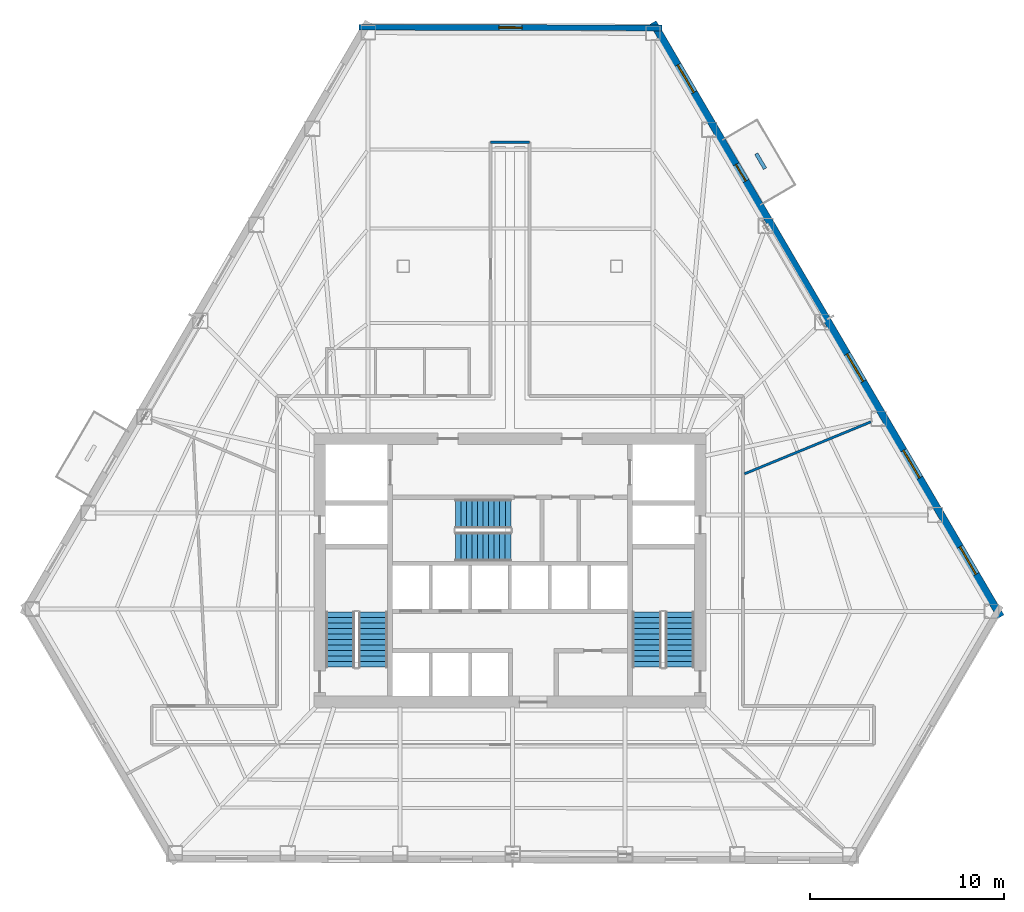
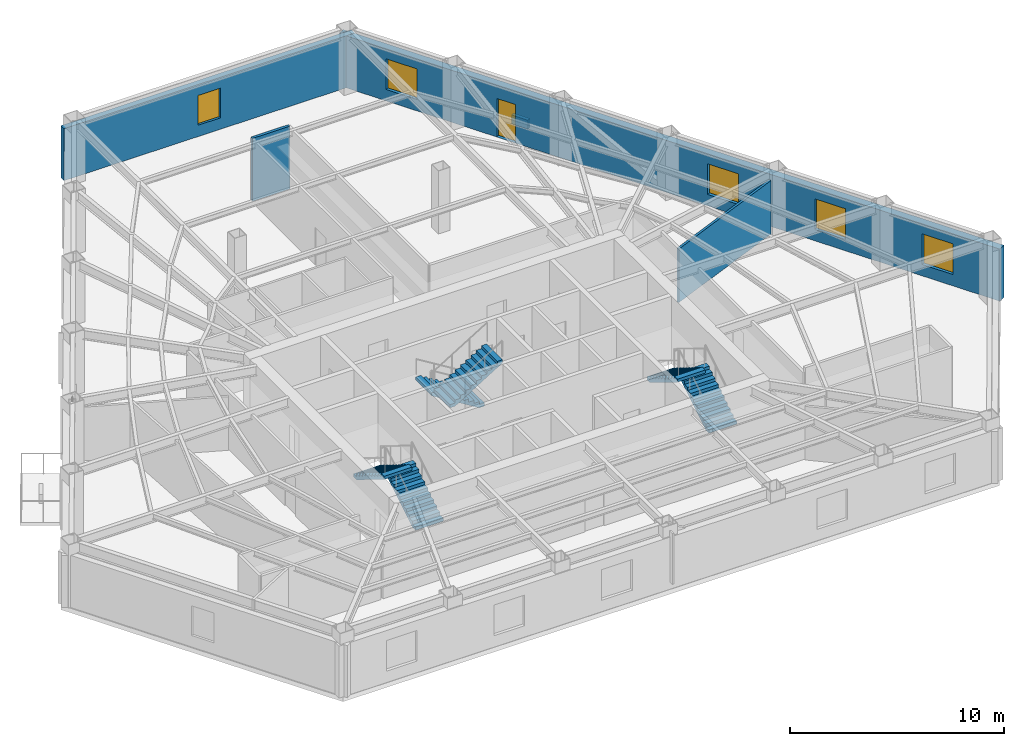
# One storey, part 8 of 11: 6 stair flights, 5 walls, 5 windows, 1 door, 6 openings, 3 elements without a shape of their own.
"""IFC4 building model written with IfcOpenShell, lengths in metres."""

from ifc_helpers import new_model, si_unit, direction, frame, frame_2d, origin, place, context, subcontext, project, spatial, polyline, rectangle, outline, extrude, material, layer, layer_set, type_object, element, fill, aggregate, save


model = new_model("IFC4")

# Units and contexts
model_context = context("Model", 3, precision=1e-05, world=origin(), true_north=direction((0.0, 1.0)))
body_context = subcontext(model_context, "Body", "Model", "MODEL_VIEW")
ifc_project = project(units=[si_unit("LENGTHUNIT", "METRE"), si_unit("AREAUNIT", "SQUARE_METRE"), si_unit("VOLUMEUNIT", "CUBIC_METRE"), si_unit("PLANEANGLEUNIT", "RADIAN"), si_unit("MASSUNIT", "GRAM", prefix="KILO")], contexts=[model_context])

# Site, building, storey
site_placement = place(None, origin())
site = spatial("IfcSite", under=ifc_project, at=site_placement, CompositionType="ELEMENT")
building_placement = place(site_placement, origin())
building = spatial("IfcBuilding", under=site, at=building_placement, Name="Kavelnor Concourse Tower", CompositionType="ELEMENT")
storey_placement = place(building_placement, frame((0.0, 0.0, 56.050048828125)))
storey = spatial("IfcBuildingStorey", under=building, at=storey_placement, Name="L14", CompositionType="ELEMENT", Elevation=56.050048828125)

# Wall, opening, window
ifc_material_1 = material(Name="Buff ironspot clay face brick masonry", Category="masonry")
ifc_layer_1 = layer(ifc_material_1, 0.300048828125, Name="Buff ironspot clay face brick masonry")
ifc_layer_set_1 = layer_set([ifc_layer_1], Name="Buff ironspot clay face brick masonry")
wall_type_1 = type_object("IfcWallType", Name="WL-EXT-BUFF-BRICK-FOLD-300", PredefinedType="STANDARD", material=ifc_layer_set_1)
wall_1_placement = place(storey_placement, frame((30.203369140625, 44.1357421875, 0.0), z_axis=(0.0, 0.0, 1.0), x_axis=(0.999997190333, -0.002370511579, 0.0)))
wall_1 = element("IfcWall", 1, at=wall_1_placement, inside=storey, type_object=wall_type_1, Name="L14 Exterior Brick Facade Wall E0", PredefinedType="STANDARD", context=body_context, shape_type="SweptSolid", body=[
    extrude(rectangle(XDim=15.654541015625, YDim=0.300048828125, at=frame_2d((7.8271484375, 0.0))), origin(), (0.0, 0.0, 1.0), 2.969970703125),
])
opening_1_placement = place(wall_1_placement, frame((7.227294921875, 0.0, 0.64990234375)))
opening_1 = element("IfcOpeningElement", 2, at=opening_1_placement, cuts=wall_1, Name="Opening W-05", PredefinedType="OPENING", context=body_context, shape_type="SweptSolid", body=[
    extrude(rectangle(XDim=1.199951171875, YDim=1.699951171875, at=frame_2d((0.60009765625, 0.85009765625))), frame((0.0, 0.16015625, 0.0), z_axis=(0.0, -1.0, 0.0), x_axis=(1.0, 0.0, 0.0)), (0.0, 0.0, 1.0), 0.320068359375),
])
ifc_material_2 = material(Name="Double low-E argon insulated glazing", Category="glass")
window_type_1 = type_object("IfcWindowType", Name="WIN-FOLD-1200", PartitioningType="SINGLE_PANEL", PredefinedType="WINDOW", material=ifc_material_2)
window_1_placement = place(opening_1_placement, origin())
window_1 = element("IfcWindow", 3, at=window_1_placement, inside=storey, type_object=window_type_1, Name="L14 Chamfer-Fold Facet Window C0", OverallHeight=1.699951171875, OverallWidth=1.199951171875, PartitioningType="SINGLE_PANEL", PredefinedType="WINDOW", context=body_context, shape_type="SweptSolid", body=[
    extrude(rectangle(XDim=1.199951171875, YDim=1.699951171875, at=frame_2d((0.60009765625, 0.85009765625))), frame((0.0, 0.030029296875, 0.0), z_axis=(0.0, -1.0, 0.0), x_axis=(1.0, 0.0, 0.0)), (0.0, 0.0, 1.0), 0.06005859375),
])
fill(opening_1, window_1)

# Wall, openings, door, windows
ifc_material_3 = material(Name="Red-ochre clay face brick masonry", Category="masonry")
ifc_layer_2 = layer(ifc_material_3, 0.3798828125, Name="Red-ochre clay face brick masonry")
ifc_layer_set_2 = layer_set([ifc_layer_2], Name="Red-ochre clay face brick masonry")
wall_type_2 = type_object("IfcWallType", Name="WL-EXT-RED-BRICK-PIER-380", PredefinedType="STANDARD", material=ifc_layer_set_2)
wall_2_placement = place(storey_placement, frame((45.376220703125, 44.375732421875, 0.0), z_axis=(0.0, 0.0, 1.0), x_axis=(0.505310833403, -0.862937403087, 0.0)))
wall_2 = element("IfcWall", 4, at=wall_2_placement, inside=storey, type_object=wall_type_2, Name="L14 Exterior Brick Facade Wall E5", PredefinedType="STANDARD", context=body_context, shape_type="SweptSolid", body=[
    extrude(rectangle(XDim=35.5439453125, YDim=0.3798828125, at=frame_2d((17.77197265625, 0.0))), origin(), (0.0, 0.0, 1.0), 2.969970703125),
])
opening_2_placement = place(wall_2_placement, frame((8.486083984375, 0.0, 0.0)))
opening_2 = element("IfcOpeningElement", 5, at=opening_2_placement, cuts=wall_2, Name="Opening BD-100", PredefinedType="OPENING", context=body_context, shape_type="SweptSolid", body=[
    extrude(rectangle(XDim=1.0, YDim=2.199951171875, at=frame_2d((0.5, 1.10009765625))), frame((0.0, 0.199951171875, 0.0), z_axis=(0.0, -1.0, 0.0), x_axis=(1.0, 0.0, 0.0)), (0.0, 0.0, 1.0), 0.39990234375),
])
opening_3_placement = place(wall_2_placement, frame((31.356201171875, 0.0, 0.64990234375)))
opening_3 = element("IfcOpeningElement", 6, at=opening_3_placement, cuts=wall_2, Name="Opening W-01", PredefinedType="OPENING", context=body_context, shape_type="SweptSolid", body=[
    extrude(rectangle(XDim=1.64990234375, YDim=1.75, at=frame_2d((0.824951171875, 0.875))), frame((0.0, 0.199951171875, 0.0), z_axis=(0.0, -1.0, 0.0), x_axis=(1.0, 0.0, 0.0)), (0.0, 0.0, 1.0), 0.39990234375),
])
opening_4_placement = place(wall_2_placement, frame((25.59130859375, 0.0, 0.64990234375)))
opening_4 = element("IfcOpeningElement", 7, at=opening_4_placement, cuts=wall_2, Name="Opening W-01", PredefinedType="OPENING", context=body_context, shape_type="SweptSolid", body=[
    extrude(rectangle(XDim=1.64990234375, YDim=1.75, at=frame_2d((0.824951171875, 0.875))), frame((0.0, 0.199951171875, 0.0), z_axis=(0.0, -1.0, 0.0), x_axis=(1.0, 0.0, 0.0)), (0.0, 0.0, 1.0), 0.39990234375),
])
opening_5_placement = place(wall_2_placement, frame((19.826416015625, 0.0, 0.64990234375)))
opening_5 = element("IfcOpeningElement", 8, at=opening_5_placement, cuts=wall_2, Name="Opening W-01", PredefinedType="OPENING", context=body_context, shape_type="SweptSolid", body=[
    extrude(rectangle(XDim=1.64990234375, YDim=1.75, at=frame_2d((0.824951171875, 0.875))), frame((0.0, 0.199951171875, 0.0), z_axis=(0.0, -1.0, 0.0), x_axis=(1.0, 0.0, 0.0)), (0.0, 0.0, 1.0), 0.39990234375),
])
opening_6_placement = place(wall_2_placement, frame((2.531982421875, 0.0, 0.64990234375)))
opening_6 = element("IfcOpeningElement", 9, at=opening_6_placement, cuts=wall_2, Name="Opening W-01", PredefinedType="OPENING", context=body_context, shape_type="SweptSolid", body=[
    extrude(rectangle(XDim=1.64990234375, YDim=1.75, at=frame_2d((0.824951171875, 0.875))), frame((0.0, 0.199951171875, 0.0), z_axis=(0.0, -1.0, 0.0), x_axis=(1.0, 0.0, 0.0)), (0.0, 0.0, 1.0), 0.39990234375),
])
ifc_material_4 = material(Name="Anodised aluminium 6063-T6", Category="aluminium")
door_type = type_object("IfcDoorType", Name="DR-BALCONY-EXT-1000", OperationType="NOTDEFINED", PredefinedType="DOOR", material=ifc_material_4)
door_placement = place(opening_2_placement, origin())
door = element("IfcDoor", 10, at=door_placement, inside=storey, type_object=door_type, Name="L14 Tree Balcony 1 Glazed Door", OperationType="SINGLE_SWING_LEFT", OverallHeight=2.199951171875, OverallWidth=1.0, PredefinedType="DOOR", context=body_context, shape_type="SweptSolid", body=[
    extrude(rectangle(XDim=1.0, YDim=2.199951171875, at=frame_2d((0.5, 1.10009765625))), frame((0.0, 0.02490234375, 0.0), z_axis=(0.0, -1.0, 0.0), x_axis=(1.0, 0.0, 0.0)), (0.0, 0.0, 1.0), 0.050048828125),
])
fill(opening_2, door)
window_type_2 = type_object("IfcWindowType", Name="WIN-PIER-Z1-1800", PartitioningType="SINGLE_PANEL", PredefinedType="WINDOW", material=ifc_material_2)
window_2_placement = place(opening_3_placement, origin())
window_2 = element("IfcWindow", 11, at=window_2_placement, inside=storey, type_object=window_type_2, Name="L14 Deep-Set Brick Pier Window F2-B0", OverallHeight=1.75, OverallWidth=1.64990234375, PartitioningType="SINGLE_PANEL", PredefinedType="WINDOW", context=body_context, shape_type="SweptSolid", body=[
    extrude(rectangle(XDim=1.64990234375, YDim=1.75, at=frame_2d((0.824951171875, 0.875))), frame((0.0, 0.030029296875, 0.0), z_axis=(0.0, -1.0, 0.0), x_axis=(1.0, 0.0, 0.0)), (0.0, 0.0, 1.0), 0.06005859375),
])
fill(opening_3, window_2)
window_3_placement = place(opening_4_placement, origin())
window_3 = element("IfcWindow", 12, at=window_3_placement, inside=storey, type_object=window_type_2, Name="L14 Deep-Set Brick Pier Window F2-B1", OverallHeight=1.75, OverallWidth=1.64990234375, PartitioningType="SINGLE_PANEL", PredefinedType="WINDOW", context=body_context, shape_type="SweptSolid", body=[
    extrude(rectangle(XDim=1.64990234375, YDim=1.75, at=frame_2d((0.824951171875, 0.875))), frame((0.0, 0.030029296875, 0.0), z_axis=(0.0, -1.0, 0.0), x_axis=(1.0, 0.0, 0.0)), (0.0, 0.0, 1.0), 0.06005859375),
])
fill(opening_4, window_3)
window_4_placement = place(opening_5_placement, origin())
window_4 = element("IfcWindow", 13, at=window_4_placement, inside=storey, type_object=window_type_2, Name="L14 Deep-Set Brick Pier Window F2-B2", OverallHeight=1.75, OverallWidth=1.64990234375, PartitioningType="SINGLE_PANEL", PredefinedType="WINDOW", context=body_context, shape_type="SweptSolid", body=[
    extrude(rectangle(XDim=1.64990234375, YDim=1.75, at=frame_2d((0.824951171875, 0.875))), frame((0.0, 0.030029296875, 0.0), z_axis=(0.0, -1.0, 0.0), x_axis=(1.0, 0.0, 0.0)), (0.0, 0.0, 1.0), 0.06005859375),
])
fill(opening_5, window_4)
window_5_placement = place(opening_6_placement, origin())
window_5 = element("IfcWindow", 14, at=window_5_placement, inside=storey, type_object=window_type_2, Name="L14 Deep-Set Brick Pier Window F2-B5", OverallHeight=1.75, OverallWidth=1.64990234375, PartitioningType="SINGLE_PANEL", PredefinedType="WINDOW", context=body_context, shape_type="SweptSolid", body=[
    extrude(rectangle(XDim=1.64990234375, YDim=1.75, at=frame_2d((0.824951171875, 0.875))), frame((0.0, 0.030029296875, 0.0), z_axis=(0.0, -1.0, 0.0), x_axis=(1.0, 0.0, 0.0)), (0.0, 0.0, 1.0), 0.06005859375),
])
fill(opening_6, window_5)

# Walls
ifc_material_5 = material(Name="Gypsum plasterboard on light-gauge steel studs", Category="steel")
ifc_layer_3 = layer(ifc_material_5, 0.14501953125, Name="Gypsum plasterboard on light-gauge steel studs")
ifc_layer_set_3 = layer_set([ifc_layer_3], Name="Gypsum plasterboard on light-gauge steel studs")
wall_type_3 = type_object("IfcWallType", Name="WL-INT-CORR-145", PredefinedType="PARTITIONING", material=ifc_layer_set_3)
wall_3_placement = place(storey_placement, frame((37.0, 38.199951171875, 0.0), z_axis=(0.0, 0.0, 1.0), x_axis=(1.0, 0.0, 0.0)))
element("IfcWall", 15, at=wall_3_placement, inside=storey, type_object=wall_type_3, Name="L14 Corridor Wall WL-L14-CR-05", PredefinedType="PARTITIONING", context=body_context, shape_type="SweptSolid", body=[
    extrude(rectangle(XDim=2.0, YDim=0.14501953125, at=frame_2d((1.0, 0.0))), origin(), (0.0, 0.0, 1.0), 3.58984375),
])
ifc_layer_4 = layer(ifc_material_5, 0.125, Name="Gypsum plasterboard on light-gauge steel studs")
ifc_layer_set_4 = layer_set([ifc_layer_4], Name="Gypsum plasterboard on light-gauge steel studs")
wall_type_4 = type_object("IfcWallType", Name="WL-INT-SUITE-125", PredefinedType="PARTITIONING", material=ifc_layer_set_4)
wall_4_placement = place(storey_placement, frame((50.1005859375, 21.078125, 0.0), z_axis=(0.0, 0.0, 1.0), x_axis=(0.924796266477, 0.380462699237, 0.0)))
element("IfcWall", 16, at=wall_4_placement, inside=storey, type_object=wall_type_4, Name="L14 Radial Suite Partition 01", PredefinedType="PARTITIONING", context=body_context, shape_type="SweptSolid", body=[
    extrude(rectangle(XDim=7.057373046875, YDim=0.125, at=frame_2d((3.52880859375, 0.0))), origin(), (0.0, 0.0, 1.0), 3.056884765625),
])
ifc_material_6 = material(Name="Architectural precast planter concrete C40/50", Category="concrete")
ifc_layer_5 = layer(ifc_material_6, 0.18994140625, Name="Architectural precast planter concrete C40/50")
ifc_layer_set_5 = layer_set([ifc_layer_5], Name="Architectural precast planter concrete C40/50")
wall_type_5 = type_object("IfcWallType", Name="WL-PLANTER-KERB-190", PredefinedType="USERDEFINED", material=ifc_layer_set_5)
wall_5_placement = place(storey_placement, frame((51.166748046875, 36.831787109375, 0.0), z_axis=(0.0, 0.0, 1.0), x_axis=(-0.505371371918, 0.862901950656, 0.0)))
element("IfcWall", 17, at=wall_5_placement, inside=storey, type_object=wall_type_5, Name="L14 Tree Balcony 1 Tree Planter Kerb", ObjectType="PLANTER", PredefinedType="USERDEFINED", context=body_context, shape_type="SweptSolid", body=[
    extrude(rectangle(XDim=0.89990234375, YDim=0.18994140625, at=frame_2d((0.449951171875, 0.0))), origin(), (0.0, 0.0, 1.0), 0.5),
])

# Stair, stair flights
ifc_material_7 = material(Name="Concrete C40/50", Category="concrete")
stair_type = type_object("IfcStairType", Name="STR-CORE-1500", PredefinedType="HALF_TURN_STAIR", material=ifc_material_7)
stair_1_placement = place(storey_placement, origin())
stair_1 = element("IfcStair", 18, at=stair_1_placement, inside=storey, type_object=stair_type, Name="L14 ST1", PredefinedType="HALF_TURN_STAIR")
stair_flight_type = type_object("IfcStairFlightType", Name="STR-FLIGHT-1500", PredefinedType="STRAIGHT", material=ifc_material_7)
stair_flight_1_placement = place(storey_placement, frame((30.929931640625, 11.10009765625, 0.0), z_axis=(0.0, 0.0, 1.0), x_axis=(0.0, 1.0, 0.0)))
stair_flight_1 = element("IfcStairFlight", 19, at=stair_flight_1_placement, type_object=stair_flight_type, Name="ST1 flight 1", NumberOfRisers=11, NumberOfTreads=10, PredefinedType="STRAIGHT", RiserHeight=0.175, TreadLength=0.285, context=body_context, shape_type="SweptSolid", body=[
    extrude(outline(polyline([(0.0, 0.0), (0.0, 0.175048828125), (0.284912109375, 0.175048828125), (0.284912109375, 0.35009765625), (0.570068359375, 0.35009765625), (0.570068359375, 0.52490234375), (0.85498046875, 0.52490234375), (0.85498046875, 0.699951171875), (1.139892578125, 0.699951171875), (1.139892578125, 0.875), (1.425048828125, 0.875), (1.425048828125, 1.050048828125), (1.7099609375, 1.050048828125), (1.7099609375, 1.22509765625), (1.9951171875, 1.22509765625), (1.9951171875, 1.39990234375), (2.280029296875, 1.39990234375), (2.280029296875, 1.574951171875), (2.56494140625, 1.574951171875), (2.56494140625, 1.75), (2.85009765625, 1.75), (2.85009765625, 1.925048828125), (2.85009765625, 1.573974609375), (0.286376953125, 0.0), (0.0, 0.0)])), frame((0.0, 0.75, 0.0), z_axis=(0.0, -1.0, 0.0), x_axis=(1.0, 0.0, 0.0)), (0.0, 0.0, 1.0), 1.5),
])
stair_flight_2_placement = place(storey_placement, frame((29.22998046875, 13.949951171875, 1.925048828125), z_axis=(0.0, 0.0, 1.0), x_axis=(0.0, -1.0, 0.0)))
stair_flight_2 = element("IfcStairFlight", 20, at=stair_flight_2_placement, type_object=stair_flight_type, Name="ST1 flight 2", NumberOfRisers=11, NumberOfTreads=10, PredefinedType="STRAIGHT", RiserHeight=0.175, TreadLength=0.285, context=body_context, shape_type="SweptSolid", body=[
    extrude(outline(polyline([(0.0, 0.0), (0.0, 0.175048828125), (0.284912109375, 0.175048828125), (0.284912109375, 0.35009765625), (0.570068359375, 0.35009765625), (0.570068359375, 0.52490234375), (0.85498046875, 0.52490234375), (0.85498046875, 0.699951171875), (1.139892578125, 0.699951171875), (1.139892578125, 0.875), (1.425048828125, 0.875), (1.425048828125, 1.050048828125), (1.7099609375, 1.050048828125), (1.7099609375, 1.22509765625), (1.9951171875, 1.22509765625), (1.9951171875, 1.39990234375), (2.280029296875, 1.39990234375), (2.280029296875, 1.574951171875), (2.56494140625, 1.574951171875), (2.56494140625, 1.75), (2.85009765625, 1.75), (2.85009765625, 1.925048828125), (2.85009765625, 1.573974609375), (0.286376953125, 0.0), (0.0, 0.0)])), frame((0.0, 0.75, 0.0), z_axis=(0.0, -1.0, 0.0), x_axis=(1.0, 0.0, 0.0)), (0.0, 0.0, 1.0), 1.5),
])
aggregate(stair_1, [stair_flight_1, stair_flight_2])

stair_2_placement = place(storey_placement, origin())
stair_2 = element("IfcStair", 21, at=stair_2_placement, inside=storey, type_object=stair_type, Name="L14 ST2", PredefinedType="HALF_TURN_STAIR")
stair_flight_3_placement = place(storey_placement, frame((46.77001953125, 11.10009765625, 0.0), z_axis=(0.0, 0.0, 1.0), x_axis=(0.0, 1.0, 0.0)))
stair_flight_3 = element("IfcStairFlight", 22, at=stair_flight_3_placement, type_object=stair_flight_type, Name="ST2 flight 1", NumberOfRisers=11, NumberOfTreads=10, PredefinedType="STRAIGHT", RiserHeight=0.175, TreadLength=0.285, context=body_context, shape_type="SweptSolid", body=[
    extrude(outline(polyline([(0.0, 0.0), (0.0, 0.175048828125), (0.284912109375, 0.175048828125), (0.284912109375, 0.35009765625), (0.570068359375, 0.35009765625), (0.570068359375, 0.52490234375), (0.85498046875, 0.52490234375), (0.85498046875, 0.699951171875), (1.139892578125, 0.699951171875), (1.139892578125, 0.875), (1.425048828125, 0.875), (1.425048828125, 1.050048828125), (1.7099609375, 1.050048828125), (1.7099609375, 1.22509765625), (1.9951171875, 1.22509765625), (1.9951171875, 1.39990234375), (2.280029296875, 1.39990234375), (2.280029296875, 1.574951171875), (2.56494140625, 1.574951171875), (2.56494140625, 1.75), (2.85009765625, 1.75), (2.85009765625, 1.925048828125), (2.85009765625, 1.573974609375), (0.286376953125, 0.0), (0.0, 0.0)])), frame((0.0, 0.75, 0.0), z_axis=(0.0, -1.0, 0.0), x_axis=(1.0, 0.0, 0.0)), (0.0, 0.0, 1.0), 1.5),
])
stair_flight_4_placement = place(storey_placement, frame((45.070068359375, 13.949951171875, 1.925048828125), z_axis=(0.0, 0.0, 1.0), x_axis=(0.0, -1.0, 0.0)))
stair_flight_4 = element("IfcStairFlight", 23, at=stair_flight_4_placement, type_object=stair_flight_type, Name="ST2 flight 2", NumberOfRisers=11, NumberOfTreads=10, PredefinedType="STRAIGHT", RiserHeight=0.175, TreadLength=0.285, context=body_context, shape_type="SweptSolid", body=[
    extrude(outline(polyline([(0.0, 0.0), (0.0, 0.175048828125), (0.284912109375, 0.175048828125), (0.284912109375, 0.35009765625), (0.570068359375, 0.35009765625), (0.570068359375, 0.52490234375), (0.85498046875, 0.52490234375), (0.85498046875, 0.699951171875), (1.139892578125, 0.699951171875), (1.139892578125, 0.875), (1.425048828125, 0.875), (1.425048828125, 1.050048828125), (1.7099609375, 1.050048828125), (1.7099609375, 1.22509765625), (1.9951171875, 1.22509765625), (1.9951171875, 1.39990234375), (2.280029296875, 1.39990234375), (2.280029296875, 1.574951171875), (2.56494140625, 1.574951171875), (2.56494140625, 1.75), (2.85009765625, 1.75), (2.85009765625, 1.925048828125), (2.85009765625, 1.573974609375), (0.286376953125, 0.0), (0.0, 0.0)])), frame((0.0, 0.75, 0.0), z_axis=(0.0, -1.0, 0.0), x_axis=(1.0, 0.0, 0.0)), (0.0, 0.0, 1.0), 1.5),
])
aggregate(stair_2, [stair_flight_3, stair_flight_4])

stair_3_placement = place(storey_placement, origin())
stair_3 = element("IfcStair", 24, at=stair_3_placement, inside=storey, type_object=stair_type, Name="L14 ST3", PredefinedType="HALF_TURN_STAIR")
stair_flight_5_placement = place(storey_placement, frame((38.0400390625, 19.010009765625, 0.0), z_axis=(0.0, 0.0, 1.0), x_axis=(-1.0, 0.0, 0.0)))
stair_flight_5 = element("IfcStairFlight", 25, at=stair_flight_5_placement, type_object=stair_flight_type, Name="ST3 flight 1", NumberOfRisers=11, NumberOfTreads=10, PredefinedType="STRAIGHT", RiserHeight=0.175, TreadLength=0.285, context=body_context, shape_type="SweptSolid", body=[
    extrude(outline(polyline([(0.0, 0.0), (0.0, 0.175048828125), (0.284912109375, 0.175048828125), (0.284912109375, 0.35009765625), (0.570068359375, 0.35009765625), (0.570068359375, 0.52490234375), (0.85498046875, 0.52490234375), (0.85498046875, 0.699951171875), (1.139892578125, 0.699951171875), (1.139892578125, 0.875), (1.425048828125, 0.875), (1.425048828125, 1.050048828125), (1.7099609375, 1.050048828125), (1.7099609375, 1.22509765625), (1.9951171875, 1.22509765625), (1.9951171875, 1.39990234375), (2.280029296875, 1.39990234375), (2.280029296875, 1.574951171875), (2.56494140625, 1.574951171875), (2.56494140625, 1.75), (2.85009765625, 1.75), (2.85009765625, 1.925048828125), (2.85009765625, 1.573974609375), (0.286376953125, 0.0), (0.0, 0.0)])), frame((0.0, 0.75, 0.0), z_axis=(0.0, -1.0, 0.0), x_axis=(1.0, 0.0, 0.0)), (0.0, 0.0, 1.0), 1.5),
])
stair_flight_6_placement = place(storey_placement, frame((35.18994140625, 17.31005859375, 1.925048828125), z_axis=(0.0, 0.0, 1.0), x_axis=(1.0, 0.0, 0.0)))
stair_flight_6 = element("IfcStairFlight", 26, at=stair_flight_6_placement, type_object=stair_flight_type, Name="ST3 flight 2", NumberOfRisers=11, NumberOfTreads=10, PredefinedType="STRAIGHT", RiserHeight=0.175, TreadLength=0.285, context=body_context, shape_type="SweptSolid", body=[
    extrude(outline(polyline([(0.0, 0.0), (0.0, 0.175048828125), (0.284912109375, 0.175048828125), (0.284912109375, 0.35009765625), (0.570068359375, 0.35009765625), (0.570068359375, 0.52490234375), (0.85498046875, 0.52490234375), (0.85498046875, 0.699951171875), (1.139892578125, 0.699951171875), (1.139892578125, 0.875), (1.425048828125, 0.875), (1.425048828125, 1.050048828125), (1.7099609375, 1.050048828125), (1.7099609375, 1.22509765625), (1.9951171875, 1.22509765625), (1.9951171875, 1.39990234375), (2.280029296875, 1.39990234375), (2.280029296875, 1.574951171875), (2.56494140625, 1.574951171875), (2.56494140625, 1.75), (2.85009765625, 1.75), (2.85009765625, 1.925048828125), (2.85009765625, 1.573974609375), (0.286376953125, 0.0), (0.0, 0.0)])), frame((0.0, 0.75, 0.0), z_axis=(0.0, -1.0, 0.0), x_axis=(1.0, 0.0, 0.0)), (0.0, 0.0, 1.0), 1.5),
])
aggregate(stair_3, [stair_flight_5, stair_flight_6])

save(model, "model.ifc")
